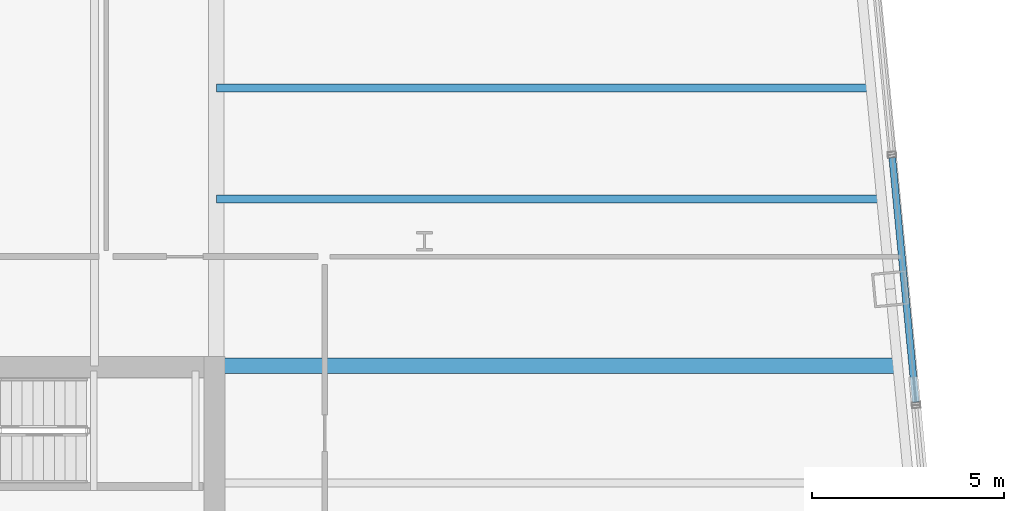
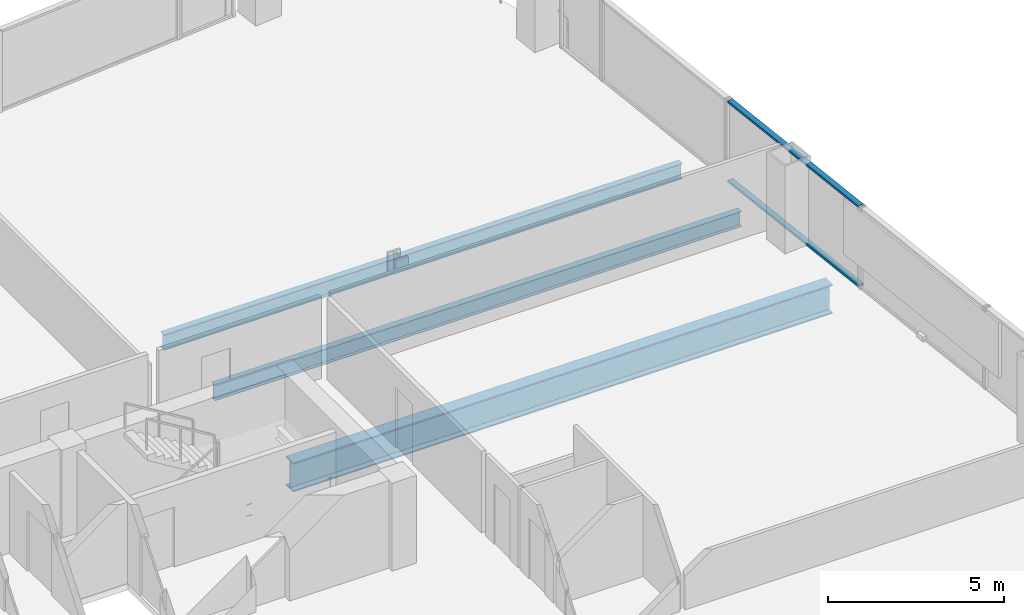
# One storey, part 19 of 28: 3 beams, 2 members, 1 element without a shape of its own.
"""IFC4 building model written with IfcOpenShell, lengths in metres."""

import ifcopenshell
import ifcopenshell.guid

model = None  # the IFC model being written
_history = None  # IfcOwnerHistory: only IFC2X3 demands one
_inside = {}  # id of a spatial element -> (the spatial element, [elements in it])
_under = {}  # id of a project, library or spatial element -> (it, [spatial elements below it])
_declared = {}  # id of a project -> (the project, [libraries it declares])
_typed = {}  # id of a type object -> (the type object, [elements of that type])
_made_of = {}  # id of a material, layer set ... -> (it, [elements and type objects made of it])


def new_model(schema):
    """Start an empty IFC model of exactly this schema.

    Asked for "IFC4X3", IfcOpenShell would pick the latest addendum, in which some entities
    have other attributes; the version numbers below select the first issue.
    IFC2X3 requires an IfcOwnerHistory on every rooted entity: one is made here for all.
    """
    global model, _history
    if schema == "IFC4X3":
        model = ifcopenshell.file(schema_version=(4, 3, 0, 0))
    else:
        model = ifcopenshell.file(schema=schema)
    _inside.clear()
    _under.clear()
    _declared.clear()
    _typed.clear()
    _made_of.clear()
    _history = None
    if model.schema == "IFC2X3":
        org = make("IfcOrganization", Name="unknown")
        user = make(
            "IfcPersonAndOrganization",
            ThePerson=make("IfcPerson", FamilyName="unknown"),
            TheOrganization=org,
        )
        app = make(
            "IfcApplication",
            ApplicationDeveloper=org,
            Version="unknown",
            ApplicationFullName="unknown",
            ApplicationIdentifier="unknown",
        )
        _history = make(
            "IfcOwnerHistory",
            OwningUser=user,
            OwningApplication=app,
            ChangeAction="ADDED",
            CreationDate=0,
        )
    return model


def make(cls, **values):
    """One entity of the class cls with the attributes given. An attribute that is None is left unset."""
    return model.create_entity(
        cls, **{name: value for name, value in values.items() if value is not None}
    )


def rooted(cls, **values):
    """An entity with a GlobalId (a new one), such as an element, a storey or a relation."""
    return make(cls, GlobalId=ifcopenshell.guid.new(), OwnerHistory=_history, **values)


def si_unit(unit_type, name, prefix=None):
    """IfcSIUnit, for example si_unit("LENGTHUNIT", "METRE", prefix="MILLI")."""
    return make("IfcSIUnit", UnitType=unit_type, Prefix=prefix, Name=name)


def assignment(units):
    """IfcUnitAssignment: the units of a project."""
    return None if units is None else make("IfcUnitAssignment", Units=units)


def point(xyz):
    """IfcCartesianPoint."""
    return None if xyz is None else make("IfcCartesianPoint", Coordinates=xyz)


def direction(xyz):
    """IfcDirection."""
    return None if xyz is None else make("IfcDirection", DirectionRatios=xyz)


def frame(location, z_axis=None, x_axis=None):
    """IfcAxis2Placement3D, a coordinate frame: its origin and axes. An axis left out is left unset."""
    return make(
        "IfcAxis2Placement3D",
        Location=point(location),
        Axis=direction(z_axis),
        RefDirection=direction(x_axis),
    )


def frame_2d(location, x_axis=None):
    """IfcAxis2Placement2D, a coordinate frame in the plane: its origin and x axis."""
    return make(
        "IfcAxis2Placement2D", Location=point(location), RefDirection=direction(x_axis)
    )


def origin():
    """The frame at (0, 0, 0) with its axes left unset."""
    return frame((0.0, 0.0, 0.0))


def origin_2d():
    """The frame at (0, 0) in the plane with its x axis left unset."""
    return frame_2d((0.0, 0.0))


def place(relative_to, where):
    """IfcLocalPlacement: puts the frame where relative to a parent placement (None: the world)."""
    return make(
        "IfcLocalPlacement", PlacementRelTo=relative_to, RelativePlacement=where
    )


def context(
    kind, dimensions, precision=None, world=None, true_north=None, identifier=None
):
    """IfcGeometricRepresentationContext, for example the 3D "Model" context."""
    return make(
        "IfcGeometricRepresentationContext",
        ContextIdentifier=identifier,
        ContextType=kind,
        CoordinateSpaceDimension=dimensions,
        Precision=precision,
        WorldCoordinateSystem=world,
        TrueNorth=true_north,
    )


def subcontext(parent, identifier, kind, view, scale=None):
    """IfcGeometricRepresentationSubContext, for example "Body" below "Model"."""
    return make(
        "IfcGeometricRepresentationSubContext",
        ContextIdentifier=identifier,
        ContextType=kind,
        ParentContext=parent,
        TargetScale=scale,
        TargetView=view,
    )


def project(units=None, contexts=None):
    """IfcProject with its units and contexts."""
    return rooted(
        "IfcProject",
        Name="project",
        RepresentationContexts=contexts,
        UnitsInContext=assignment(units),
    )


def spatial(cls, under=None, at=None, **own):
    """A site, building, storey or space (cls), placed at a placement, below another one or the project."""
    s = rooted(cls, ObjectPlacement=at, **own)
    if under is not None:
        _under.setdefault(under.id(), (under, []))[1].append(s)
    return s


def profile(cls, at=None, kind="AREA", **sizes):
    """A parametric profile (cls). Its sizes go by their IFC names, for example OverallWidth=200.0."""
    return make(cls, ProfileType=kind, Position=at, **sizes)


def hollow_rectangle(**sizes):
    """IfcRectangleHollowProfileDef."""
    return profile("IfcRectangleHollowProfileDef", **sizes)


def i_section(**sizes):
    """IfcIShapeProfileDef."""
    return profile("IfcIShapeProfileDef", **sizes)


def extrude(swept, where, along, depth):
    """IfcExtrudedAreaSolid: the profile swept, set in the frame where, extruded along a direction by depth."""
    return make(
        "IfcExtrudedAreaSolid",
        SweptArea=swept,
        Position=where,
        ExtrudedDirection=direction(along),
        Depth=depth,
    )


def shape(context_of_items, identifier, shape_type, items):
    """IfcShapeRepresentation: the items that make up one representation, for example the "Body"."""
    return make(
        "IfcShapeRepresentation",
        ContextOfItems=context_of_items,
        RepresentationIdentifier=identifier,
        RepresentationType=shape_type,
        Items=items,
    )


def material(Name=None, Category=None):
    """IfcMaterial."""
    return make("IfcMaterial", Name=Name, Category=Category)


def layer(
    of_material, thickness, ventilated=None, Name=None, Category=None, Priority=None
):
    """IfcMaterialLayer: one layer of a wall or slab, of a material (None: an air gap)."""
    return make(
        "IfcMaterialLayer",
        Material=of_material,
        LayerThickness=thickness,
        IsVentilated=ventilated,
        Name=Name,
        Category=Category,
        Priority=Priority,
    )


def layer_set(layers, Name=None):
    """IfcMaterialLayerSet."""
    return make("IfcMaterialLayerSet", MaterialLayers=layers, LayerSetName=Name)


def material_profile(
    of_material, cross_section, Name=None, Category=None, Priority=None
):
    """IfcMaterialProfile: a cross section and its material."""
    return make(
        "IfcMaterialProfile",
        Name=Name,
        Material=of_material,
        Profile=cross_section,
        Priority=Priority,
        Category=Category,
    )


def profile_set(profiles, Name=None, composite=None):
    """IfcMaterialProfileSet."""
    return make(
        "IfcMaterialProfileSet",
        Name=Name,
        MaterialProfiles=profiles,
        CompositeProfile=composite,
    )


def made_of(thing, what):
    """Note that an element or type object is made of a material, layer set ...; save() writes the relation."""
    if what is not None:
        _made_of.setdefault(what.id(), (what, []))[1].append(thing)
    return thing


def type_object(cls, material=None, **own):
    """A type object (cls), such as IfcWallType, which elements share."""
    return made_of(rooted(cls, **own), material)


def element(
    cls,
    number,
    at=None,
    inside=None,
    cuts=None,
    type_object=None,
    material=None,
    context=None,
    identifier="Body",
    shape_type=None,
    held_by="IfcProductDefinitionShape",
    body=None,
    shapes=None,
    **own,
):
    """One element of the class cls, such as IfcWall. Its Tag is "e" and its number.

    at: its placement. inside: the storey or other place that contains it. cuts: it is an
    opening in that element (IfcRelVoidsElement). A single representation is given by context,
    identifier, shape_type and body (its items); several are given by shapes. held_by: the class
    of the entity that holds the representations. save() writes the other relations.
    """
    e = rooted(cls, Tag="e%d" % number, ObjectPlacement=at, **own)
    if body is not None:
        shapes = [shape(context, identifier, shape_type, body)]
    if shapes is not None:
        e.Representation = make(held_by, Representations=shapes)
    if inside is not None:
        _inside.setdefault(inside.id(), (inside, []))[1].append(e)
    if cuts is not None:
        rooted(
            "IfcRelVoidsElement", RelatingBuildingElement=cuts, RelatedOpeningElement=e
        )
    if type_object is not None:
        _typed.setdefault(type_object.id(), (type_object, []))[1].append(e)
    return made_of(e, material)


def aggregate(whole, parts):
    """IfcRelAggregates: a whole, such as a stair, and the parts it consists of."""
    return rooted("IfcRelAggregates", RelatingObject=whole, RelatedObjects=parts)


def save(model, path):
    """Write the relations noted so far, then the file.

    IfcRelAggregates (storeys below a building ...), IfcRelContainedInSpatialStructure (elements
    in a storey), IfcRelDefinesByType, IfcRelAssociatesMaterial and IfcRelDeclares: one each for
    every whole, place, type object, material and project.
    """
    for whole, parts in _under.values():
        aggregate(whole, parts)
    for where, things in _inside.values():
        rooted(
            "IfcRelContainedInSpatialStructure",
            RelatedElements=things,
            RelatingStructure=where,
        )
    for kind, things in _typed.values():
        rooted("IfcRelDefinesByType", RelatedObjects=things, RelatingType=kind)
    for what, things in _made_of.values():
        rooted("IfcRelAssociatesMaterial", RelatedObjects=things, RelatingMaterial=what)
    for by, libraries in _declared.values():
        rooted("IfcRelDeclares", RelatingContext=by, RelatedDefinitions=libraries)
    model.write(path)


model = new_model("IFC4")

# Units and contexts
model_context = context("Model", 3, precision=1e-05, world=origin(), true_north=direction((0.0, 1.0)))
body_context = subcontext(model_context, "Body", "Model", "MODEL_VIEW")
ifc_project = project(units=[si_unit("LENGTHUNIT", "METRE"), si_unit("AREAUNIT", "SQUARE_METRE"), si_unit("VOLUMEUNIT", "CUBIC_METRE"), si_unit("PLANEANGLEUNIT", "RADIAN"), si_unit("MASSUNIT", "GRAM", prefix="KILO")], contexts=[model_context])

# Site, building, storey
site_placement = place(None, origin())
site = spatial("IfcSite", under=ifc_project, at=site_placement, CompositionType="ELEMENT")
building_placement = place(site_placement, origin())
building = spatial("IfcBuilding", under=site, at=building_placement, Name="Qhalaya Broadcast Tower", CompositionType="ELEMENT")
storey_placement = place(building_placement, frame((0.0, 0.0, 90.800048828125)))
storey = spatial("IfcBuildingStorey", under=building, at=storey_placement, Name="L26", CompositionType="ELEMENT", Elevation=90.800048828125)

# Beams
ifc_material_1 = material(Name="Structural Steel ASTM A992 Grade 50", Category="steel")
ifc_material_profile_1 = material_profile(ifc_material_1, i_section(OverallWidth=0.2099609375, OverallDepth=0.535888671875, WebThickness=0.010986328125, FlangeThickness=0.017333984375, at=origin_2d()), Name="W21X68")
ifc_profile_set_1 = profile_set([ifc_material_profile_1], Name="Structural Steel ASTM A992 Grade 50")
beam_type_1 = type_object("IfcBeamType", Name="Composite Floor Joist J02", PredefinedType="JOIST", material=ifc_profile_set_1)
beam_1_placement = place(storey_placement, frame((9.375, 14.300048828125, -0.488037109375), z_axis=(1.0, 0.0, 0.0), x_axis=(0.0, 1.0, 0.0)))
element("IfcBeam", 1, at=beam_1_placement, inside=storey, type_object=beam_type_1, Name="L26 J02 L26-JWE6E-1", PredefinedType="JOIST", context=body_context, shape_type="SweptSolid", body=[
    extrude(i_section(OverallWidth=0.2099609375, OverallDepth=0.535888671875, WebThickness=0.010986328125, FlangeThickness=0.017333984375, at=origin_2d()), origin(), (0.0, 0.0, 1.0), 17.3203125),
])
beam_2_placement = place(storey_placement, frame((9.375, 17.199951171875, -0.488037109375), z_axis=(1.0, 0.0, 0.0), x_axis=(0.0, 1.0, 0.0)))
element("IfcBeam", 2, at=beam_2_placement, inside=storey, type_object=beam_type_1, Name="L26 J02 L26-JWE7E-1", PredefinedType="JOIST", context=body_context, shape_type="SweptSolid", body=[
    extrude(i_section(OverallWidth=0.2099609375, OverallDepth=0.535888671875, WebThickness=0.010986328125, FlangeThickness=0.017333984375, at=origin_2d()), origin(), (0.0, 0.0, 1.0), 17.041015625),
])
ifc_material_profile_2 = material_profile(ifc_material_1, i_section(OverallWidth=0.40087890625, OverallDepth=1.010986328125, WebThickness=0.023681640625, FlangeThickness=0.0419921875, at=origin_2d()), Name="W40X297")
ifc_profile_set_2 = profile_set([ifc_material_profile_2], Name="Structural Steel ASTM A992 Grade 50")
beam_type_2 = type_object("IfcBeamType", Name="Lower Block Primary Girder PG2", PredefinedType="USERDEFINED", material=ifc_profile_set_2)
beam_3_placement = place(storey_placement, frame((9.375, 9.949951171875, -0.7255859375), z_axis=(1.0, 0.0, 0.0), x_axis=(0.0, 1.0, 0.0)))
element("IfcBeam", 3, at=beam_3_placement, inside=storey, type_object=beam_type_2, Name="L26 PG2 L26-PGYE4-1", ObjectType="GIRDER", PredefinedType="USERDEFINED", context=body_context, shape_type="SweptSolid", body=[
    extrude(i_section(OverallWidth=0.40087890625, OverallDepth=1.010986328125, WebThickness=0.023681640625, FlangeThickness=0.0419921875, at=origin_2d()), origin(), (0.0, 0.0, 1.0), 17.7392578125),
])

# Curtain wall, members
ifc_material_2 = material(Name="Solar-Control Low-E Triple Glazing", Category="glass")
ifc_layer = layer(ifc_material_2, 0.219970703125, Name="Solar-Control Low-E Triple Glazing")
ifc_layer_set = layer_set([ifc_layer], Name="Solar-Control Low-E Triple Glazing")
curtain_wall_type = type_object("IfcCurtainWallType", Name="Even-Block 4-Storey Double-Module Curtain Wall CW-03", PredefinedType="NOTDEFINED", material=ifc_layer_set)
curtain_wall_placement = place(storey_placement, origin())
curtain_wall = element("IfcCurtainWall", 4, at=curtain_wall_placement, inside=storey, type_object=curtain_wall_type, Name="L26 Unitised Curtain Wall L26-CW-E5", PredefinedType="NOTDEFINED")
ifc_material_3 = material(Name="Anodised Aluminium 6063-T6", Category="aluminium")
ifc_material_profile_3 = material_profile(ifc_material_3, hollow_rectangle(XDim=0.074951171875, YDim=0.179931640625, WallThickness=0.00390625, at=origin_2d()), Name="ALU-TRN 75x180x4")
ifc_profile_set_3 = profile_set([ifc_material_profile_3], Name="Anodised Aluminium 6063-T6")
member_type = type_object("IfcMemberType", Name="Unitised Curtain-Wall Transom T01", PredefinedType="USERDEFINED", material=ifc_profile_set_3)
member_1_placement = place(storey_placement, frame((27.607421875, 9.0009765625, 0.037353515625), z_axis=(-0.095859052771, 0.995394917609, 0.0), x_axis=(0.0, 0.0, 1.0)))
member_1 = element("IfcMember", 5, at=member_1_placement, type_object=member_type, Name="CW-03 transom 1.1", ObjectType="TRANSOM", PredefinedType="USERDEFINED", context=body_context, shape_type="SweptSolid", body=[
    extrude(hollow_rectangle(XDim=0.074951171875, YDim=0.179931640625, WallThickness=0.00390625, at=origin_2d()), origin(), (0.0, 0.0, 1.0), 6.407958984375),
])
member_2_placement = place(storey_placement, frame((27.607421875, 9.0009765625, 2.79248046875), z_axis=(-0.095859052771, 0.995394917609, 0.0), x_axis=(0.0, 0.0, 1.0)))
member_2 = element("IfcMember", 6, at=member_2_placement, type_object=member_type, Name="CW-03 transom 1.2", ObjectType="TRANSOM", PredefinedType="USERDEFINED", context=body_context, shape_type="SweptSolid", body=[
    extrude(hollow_rectangle(XDim=0.074951171875, YDim=0.179931640625, WallThickness=0.00390625, at=origin_2d()), origin(), (0.0, 0.0, 1.0), 6.407958984375),
])
aggregate(curtain_wall, [member_1, member_2])

save(model, "model.ifc")
